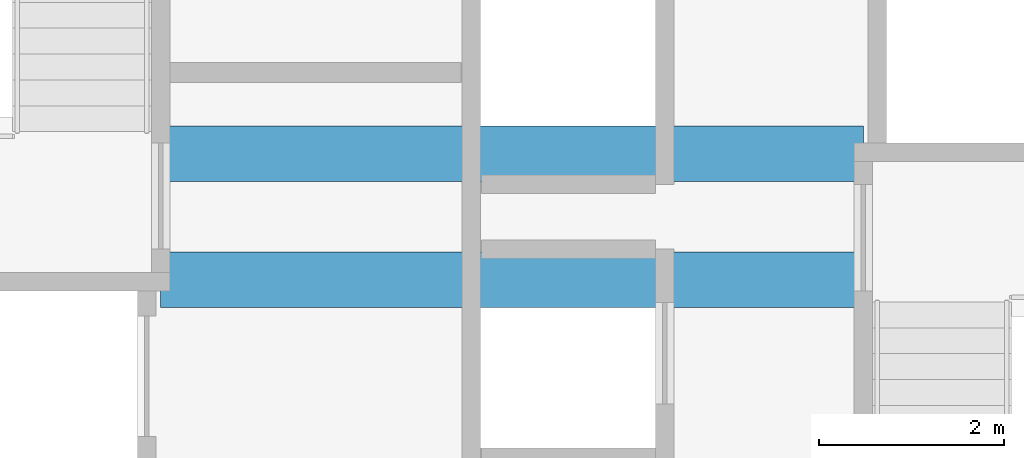
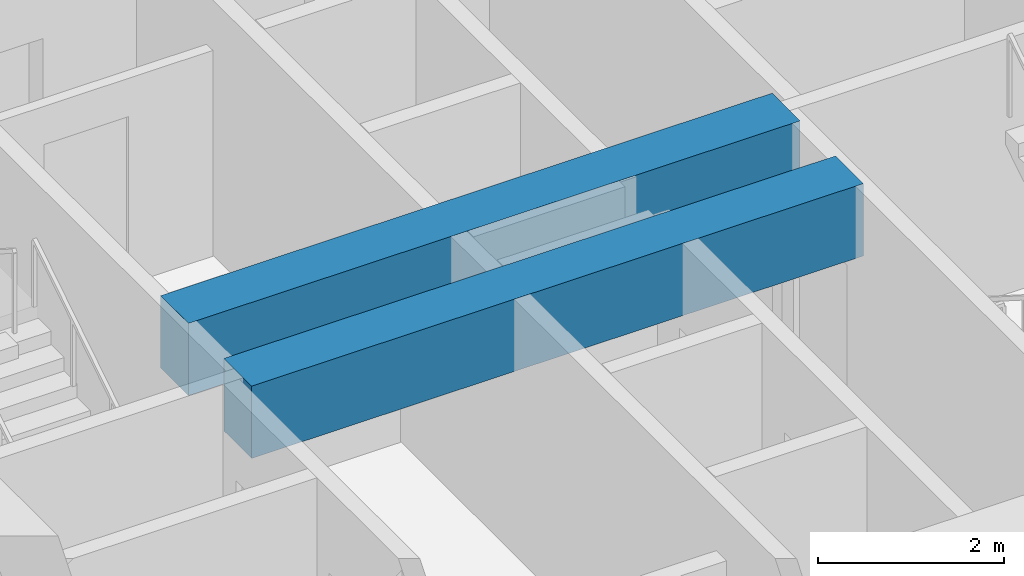
# One storey, part 6 of 45: 2 beams.
"""IFC4 building model written with IfcOpenShell, lengths in metres."""

from ifc_helpers import new_model, si_unit, direction, frame, origin, origin_2d, place, context, subcontext, project, spatial, rectangle, extrude, material, material_profile, profile_set, type_object, element, save


model = new_model("IFC4")

# Units and contexts
model_context = context("Model", 3, precision=1e-05, world=origin(), true_north=direction((0.0, 1.0)))
body_context = subcontext(model_context, "Body", "Model", "MODEL_VIEW")
ifc_project = project(units=[si_unit("LENGTHUNIT", "METRE"), si_unit("AREAUNIT", "SQUARE_METRE"), si_unit("VOLUMEUNIT", "CUBIC_METRE"), si_unit("PLANEANGLEUNIT", "RADIAN"), si_unit("MASSUNIT", "GRAM", prefix="KILO")], contexts=[model_context])

# Site, building, storey
site_placement = place(None, origin())
site = spatial("IfcSite", under=ifc_project, at=site_placement, CompositionType="ELEMENT")
building_placement = place(site_placement, origin())
building = spatial("IfcBuilding", under=site, at=building_placement, Name="Tashvorn Skyway Center", CompositionType="ELEMENT")
storey_placement = place(building_placement, frame((0.0, 0.0, 35.25)))
storey = spatial("IfcBuildingStorey", under=building, at=storey_placement, Name="L08", CompositionType="ELEMENT", Elevation=35.25)

# Beams
ifc_material = material(Name="Concrete C60/75", Category="concrete")
ifc_material_profile = material_profile(ifc_material, rectangle(XDim=0.60009765625, YDim=0.949951171875, at=origin_2d()), Name="RCB600x950")
ifc_profile_set = profile_set([ifc_material_profile], Name="Concrete C60/75")
beam_type = type_object("IfcBeamType", Name="BM-LINTEL-RCB600x950", PredefinedType="LINTEL", material=ifc_profile_set)
for number, where, z_axis, x_axis, name in (
    (1, (38.199951171875, 32.679931640625, 2.875), (1.0, 0.0, 0.0), (0.0, 1.0, 0.0), "Tower 1 L08 Core Coupling Beam CN"),
    (2, (38.199951171875, 31.320068359375, 2.875), (1.0, 0.0, 0.0), (0.0, 1.0, 0.0), "Tower 1 L08 Core Coupling Beam CS"),
):
    element("IfcBeam", number, at=place(storey_placement, frame(where, z_axis=z_axis, x_axis=x_axis)), inside=storey, type_object=beam_type, Name=name, PredefinedType="LINTEL", context=body_context, shape_type="SweptSolid", body=[
        extrude(rectangle(XDim=0.60009765625, YDim=0.949951171875, at=origin_2d()), origin(), (0.0, 0.0, 1.0), 7.60009765625),
    ])

save(model, "model.ifc")
